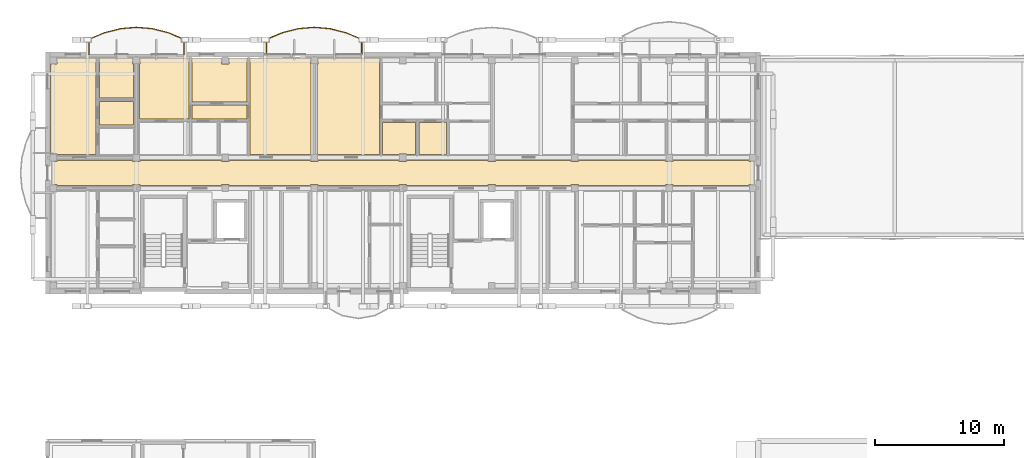
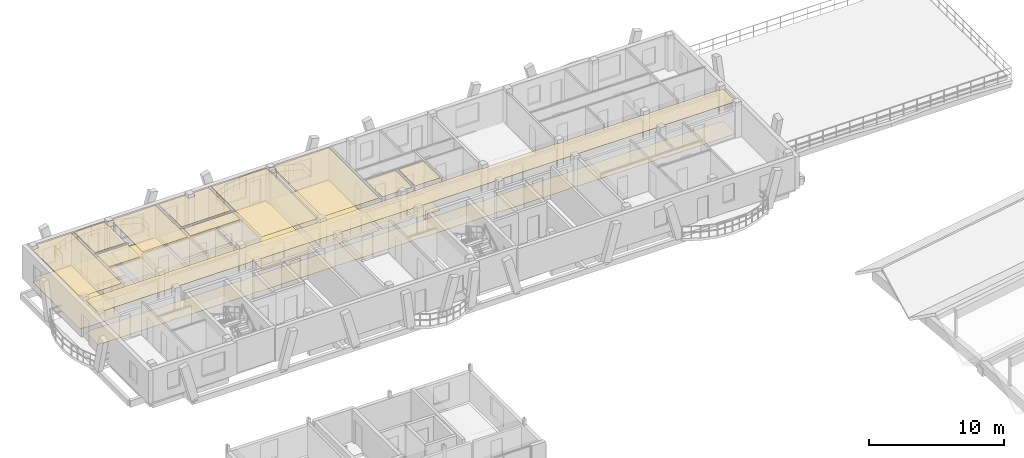
# One storey, part 96 of 109: 22 coverings, 2 railings.
"""IFC4 building model written with IfcOpenShell, lengths in metres."""

from ifc_helpers import new_model, si_unit, direction, frame, origin, origin_2d, place, context, subcontext, project, spatial, polyline, rectangle, outline, extrude, material, layer, layer_set, type_object, element, save


model = new_model("IFC4")

# Units and contexts
model_context = context("Model", 3, precision=1e-05, world=origin(), true_north=direction((0.0, 1.0)))
body_context = subcontext(model_context, "Body", "Model", "MODEL_VIEW")
ifc_project = project(units=[si_unit("LENGTHUNIT", "METRE"), si_unit("AREAUNIT", "SQUARE_METRE"), si_unit("VOLUMEUNIT", "CUBIC_METRE"), si_unit("PLANEANGLEUNIT", "RADIAN"), si_unit("MASSUNIT", "GRAM", prefix="KILO")], contexts=[model_context])

# Site, building, storey
site_placement = place(None, origin())
site = spatial("IfcSite", under=ifc_project, at=site_placement, CompositionType="ELEMENT")
building_placement = place(site_placement, origin())
building = spatial("IfcBuilding", under=site, at=building_placement, Name="Zavelmont Quarter", CompositionType="ELEMENT")
storey_placement = place(building_placement, frame((0.0, 0.0, 8.0)))
storey = spatial("IfcBuildingStorey", under=building, at=storey_placement, Name="L02", CompositionType="ELEMENT", Elevation=8.0)

# Coverings
ifc_material_1 = material(Name="Perforated acoustic gypsum board")
ifc_layer_1 = layer(ifc_material_1, 0.02490234375)
ifc_layer_set_1 = layer_set([ifc_layer_1], Name="Perforated acoustic gypsum board")
covering_type_1 = type_object("IfcCoveringType", Name="CV-CL01", PredefinedType="CEILING", material=ifc_layer_set_1)
covering_1_placement = place(storey_placement, frame((0.0, 0.0, 2.9150390625)))
element("IfcCovering", 1, at=covering_1_placement, inside=storey, type_object=covering_type_1, Name="L02 Residential Corridor acoustic ceiling", PredefinedType="CEILING", context=body_context, shape_type="SweptSolid", body=[
    extrude(outline(polyline([(0.3798828125, 107.7099609375), (0.72998046875, 107.7099609375), (0.72998046875, 107.77001953125), (6.610107421875, 107.77001953125), (6.610107421875, 107.7099609375), (7.18994140625, 107.7099609375), (7.18994140625, 107.77001953125), (13.510009765625, 107.77001953125), (13.510009765625, 107.7099609375), (14.090087890625, 107.7099609375), (14.090087890625, 107.77001953125), (20.409912109375, 107.77001953125), (20.409912109375, 107.7099609375), (20.989990234375, 107.7099609375), (20.989990234375, 107.77001953125), (27.31005859375, 107.77001953125), (27.31005859375, 107.7099609375), (27.889892578125, 107.7099609375), (27.889892578125, 107.77001953125), (34.2099609375, 107.77001953125), (34.2099609375, 107.7099609375), (34.7900390625, 107.7099609375), (34.7900390625, 107.77001953125), (40.669921875, 107.77001953125), (40.669921875, 107.7099609375), (41.25, 107.7099609375), (41.25, 107.77001953125), (48.010009765625, 107.77001953125), (48.010009765625, 107.7099609375), (48.590087890625, 107.7099609375), (48.590087890625, 107.77001953125), (54.469970703125, 107.77001953125), (54.469970703125, 107.7099609375), (54.820068359375, 107.7099609375), (54.820068359375, 105.889892578125), (54.469970703125, 105.889892578125), (54.469970703125, 105.830078125), (48.590087890625, 105.830078125), (48.590087890625, 105.889892578125), (48.010009765625, 105.889892578125), (48.010009765625, 105.830078125), (41.25, 105.830078125), (41.25, 105.889892578125), (40.669921875, 105.889892578125), (40.669921875, 105.830078125), (34.7900390625, 105.830078125), (34.7900390625, 105.889892578125), (34.2099609375, 105.889892578125), (34.2099609375, 105.830078125), (27.889892578125, 105.830078125), (27.889892578125, 105.889892578125), (27.31005859375, 105.889892578125), (27.31005859375, 105.830078125), (20.989990234375, 105.830078125), (20.989990234375, 105.889892578125), (20.409912109375, 105.889892578125), (20.409912109375, 105.830078125), (14.090087890625, 105.830078125), (14.090087890625, 105.889892578125), (13.510009765625, 105.889892578125), (13.510009765625, 105.830078125), (7.18994140625, 105.830078125), (7.18994140625, 105.889892578125), (6.610107421875, 105.889892578125), (6.610107421875, 105.830078125), (0.72998046875, 105.830078125), (0.72998046875, 105.889892578125), (0.3798828125, 105.889892578125), (0.3798828125, 107.7099609375)])), origin(), (0.0, 0.0, 1.0), 0.02490234375),
])
covering_2_placement = place(storey_placement, frame((0.0, 0.0, 2.9150390625)))
element("IfcCovering", 2, at=covering_2_placement, inside=storey, type_object=covering_type_1, Name="L02 Living Dining acoustic ceiling", PredefinedType="CEILING", context=body_context, shape_type="SweptSolid", body=[
    extrude(outline(polyline([(0.22998046875, 115.27001953125), (0.72998046875, 115.27001953125), (0.72998046875, 115.719970703125), (3.77001953125, 115.719970703125), (3.77001953125, 108.22998046875), (0.72998046875, 108.22998046875), (0.72998046875, 108.2900390625), (0.22998046875, 108.2900390625), (0.22998046875, 115.27001953125)])), origin(), (0.0, 0.0, 1.0), 0.02490234375),
])
covering_3_placement = place(storey_placement, frame((0.0, 0.0, 2.9150390625)))
element("IfcCovering", 3, at=covering_3_placement, inside=storey, type_object=covering_type_1, Name="L02 Single Bedroom acoustic ceiling", PredefinedType="CEILING", context=body_context, shape_type="SweptSolid", body=[
    extrude(outline(polyline([(4.030029296875, 115.719970703125), (6.610107421875, 115.719970703125), (6.610107421875, 115.27001953125), (6.669921875, 115.27001953125), (6.669921875, 112.6298828125), (4.030029296875, 112.6298828125), (4.030029296875, 115.719970703125)])), origin(), (0.0, 0.0, 1.0), 0.02490234375),
])
covering_4_placement = place(storey_placement, frame((0.0, 0.0, 2.9150390625)))
element("IfcCovering", 4, at=covering_4_placement, inside=storey, type_object=covering_type_1, Name="L02 Double Bedroom acoustic ceiling", PredefinedType="CEILING", context=body_context, shape_type="SweptSolid", body=[
    extrude(outline(polyline([(7.1298828125, 115.27001953125), (7.18994140625, 115.27001953125), (7.18994140625, 115.719970703125), (10.969970703125, 115.719970703125), (10.969970703125, 110.97998046875), (7.1298828125, 110.97998046875), (7.1298828125, 115.27001953125)])), origin(), (0.0, 0.0, 1.0), 0.02490234375),
])
covering_5_placement = place(storey_placement, frame((0.0, 0.0, 2.9150390625)))
element("IfcCovering", 5, at=covering_5_placement, inside=storey, type_object=covering_type_1, Name="L02 Master Bedroom acoustic ceiling", PredefinedType="CEILING", context=body_context, shape_type="SweptSolid", body=[
    extrude(outline(polyline([(11.22998046875, 115.719970703125), (13.510009765625, 115.719970703125), (13.510009765625, 115.27001953125), (14.090087890625, 115.27001953125), (14.090087890625, 115.719970703125), (15.469970703125, 115.719970703125), (15.469970703125, 112.330078125), (11.22998046875, 112.330078125), (11.22998046875, 115.719970703125)])), origin(), (0.0, 0.0, 1.0), 0.02490234375),
])
covering_6_placement = place(storey_placement, frame((0.0, 0.0, 2.9150390625)))
element("IfcCovering", 6, at=covering_6_placement, inside=storey, type_object=covering_type_1, Name="L02 Living Dining acoustic ceiling", PredefinedType="CEILING", context=body_context, shape_type="SweptSolid", body=[
    extrude(outline(polyline([(15.72998046875, 115.719970703125), (20.409912109375, 115.719970703125), (20.409912109375, 115.27001953125), (20.469970703125, 115.27001953125), (20.469970703125, 108.2900390625), (20.409912109375, 108.2900390625), (20.409912109375, 108.22998046875), (15.72998046875, 108.22998046875), (15.72998046875, 115.719970703125)])), origin(), (0.0, 0.0, 1.0), 0.02490234375),
])
covering_7_placement = place(storey_placement, frame((0.0, 0.0, 2.9150390625)))
element("IfcCovering", 7, at=covering_7_placement, inside=storey, type_object=covering_type_1, Name="L02 Living Dining acoustic ceiling", PredefinedType="CEILING", context=body_context, shape_type="SweptSolid", body=[
    extrude(outline(polyline([(20.929931640625, 115.27001953125), (20.989990234375, 115.27001953125), (20.989990234375, 115.719970703125), (25.77001953125, 115.719970703125), (25.77001953125, 108.22998046875), (20.989990234375, 108.22998046875), (20.989990234375, 108.2900390625), (20.929931640625, 108.2900390625), (20.929931640625, 115.27001953125)])), origin(), (0.0, 0.0, 1.0), 0.02490234375),
])
covering_8_placement = place(storey_placement, frame((0.0, 0.0, 2.9150390625)))
element("IfcCovering", 8, at=covering_8_placement, inside=storey, type_object=covering_type_1, Name="L02 Kitchen acoustic ceiling", PredefinedType="CEILING", context=body_context, shape_type="SweptSolid", body=[
    extrude(outline(polyline([(26.030029296875, 110.719970703125), (28.570068359375, 110.719970703125), (28.570068359375, 108.22998046875), (27.889892578125, 108.22998046875), (27.889892578125, 108.2900390625), (27.31005859375, 108.2900390625), (27.31005859375, 108.22998046875), (26.030029296875, 108.22998046875), (26.030029296875, 110.719970703125)])), origin(), (0.0, 0.0, 1.0), 0.02490234375),
])
ifc_material_2 = material(Name="Slatted European ash acoustic baffle ceiling")
ifc_layer_2 = layer(ifc_material_2, 0.0400390625)
ifc_layer_set_2 = layer_set([ifc_layer_2], Name="Slatted European ash acoustic baffle ceiling")
covering_type_2 = type_object("IfcCoveringType", Name="CV-CL02", PredefinedType="CEILING", material=ifc_layer_set_2)
covering_9_placement = place(storey_placement, frame((0.0, 0.0, 2.89990234375)))
element("IfcCovering", 9, at=covering_9_placement, inside=storey, type_object=covering_type_2, Name="L02 Apartment Hall acoustic ceiling", PredefinedType="CEILING", context=body_context, shape_type="SweptSolid", body=[
    extrude(outline(polyline([(11.22998046875, 112.070068359375), (15.469970703125, 112.070068359375), (15.469970703125, 110.97998046875), (11.22998046875, 110.97998046875), (11.22998046875, 112.070068359375)])), origin(), (0.0, 0.0, 1.0), 0.0400390625),
])
ifc_material_3 = material(Name="Moisture-resistant painted gypsum ceiling")
ifc_layer_3 = layer(ifc_material_3, 0.02001953125)
ifc_layer_set_3 = layer_set([ifc_layer_3], Name="Moisture-resistant painted gypsum ceiling")
covering_type_3 = type_object("IfcCoveringType", Name="CV-CL04", PredefinedType="CEILING", material=ifc_layer_set_3)
covering_10_placement = place(storey_placement, frame((0.0, 0.0, 2.919921875)))
element("IfcCovering", 10, at=covering_10_placement, inside=storey, type_object=covering_type_3, Name="L02 Bathroom acoustic ceiling", PredefinedType="CEILING", context=body_context, shape_type="SweptSolid", body=[
    extrude(outline(polyline([(4.030029296875, 112.3701171875), (6.669921875, 112.3701171875), (6.669921875, 110.530029296875), (4.030029296875, 110.530029296875), (4.030029296875, 112.3701171875)])), origin(), (0.0, 0.0, 1.0), 0.02001953125),
])
covering_11_placement = place(storey_placement, frame((0.0, 0.0, 2.919921875)))
element("IfcCovering", 11, at=covering_11_placement, inside=storey, type_object=covering_type_3, Name="L02 Bathroom acoustic ceiling", PredefinedType="CEILING", context=body_context, shape_type="SweptSolid", body=[
    extrude(outline(polyline([(28.830078125, 110.719970703125), (30.969970703125, 110.719970703125), (30.969970703125, 108.22998046875), (28.830078125, 108.22998046875), (28.830078125, 110.719970703125)])), origin(), (0.0, 0.0, 1.0), 0.02001953125),
])
ifc_material_4 = material(Name="Engineered European oak parquet")
ifc_layer_4 = layer(ifc_material_4, 0.02197265625)
ifc_layer_set_4 = layer_set([ifc_layer_4], Name="Engineered European oak parquet")
covering_type_4 = type_object("IfcCoveringType", Name="CV-FL01", PredefinedType="FLOORING", material=ifc_layer_set_4)
covering_12_placement = place(storey_placement, origin())
element("IfcCovering", 12, at=covering_12_placement, inside=storey, type_object=covering_type_4, Name="L02 Residential Corridor floor finish", PredefinedType="FLOORING", context=body_context, shape_type="SweptSolid", body=[
    extrude(outline(polyline([(0.3798828125, 107.7099609375), (0.72998046875, 107.7099609375), (0.72998046875, 107.77001953125), (6.610107421875, 107.77001953125), (6.610107421875, 107.7099609375), (7.18994140625, 107.7099609375), (7.18994140625, 107.77001953125), (13.510009765625, 107.77001953125), (13.510009765625, 107.7099609375), (14.090087890625, 107.7099609375), (14.090087890625, 107.77001953125), (20.409912109375, 107.77001953125), (20.409912109375, 107.7099609375), (20.989990234375, 107.7099609375), (20.989990234375, 107.77001953125), (27.31005859375, 107.77001953125), (27.31005859375, 107.7099609375), (27.889892578125, 107.7099609375), (27.889892578125, 107.77001953125), (34.2099609375, 107.77001953125), (34.2099609375, 107.7099609375), (34.7900390625, 107.7099609375), (34.7900390625, 107.77001953125), (40.669921875, 107.77001953125), (40.669921875, 107.7099609375), (41.25, 107.7099609375), (41.25, 107.77001953125), (48.010009765625, 107.77001953125), (48.010009765625, 107.7099609375), (48.590087890625, 107.7099609375), (48.590087890625, 107.77001953125), (54.469970703125, 107.77001953125), (54.469970703125, 107.7099609375), (54.820068359375, 107.7099609375), (54.820068359375, 105.889892578125), (54.469970703125, 105.889892578125), (54.469970703125, 105.830078125), (48.590087890625, 105.830078125), (48.590087890625, 105.889892578125), (48.010009765625, 105.889892578125), (48.010009765625, 105.830078125), (41.25, 105.830078125), (41.25, 105.889892578125), (40.669921875, 105.889892578125), (40.669921875, 105.830078125), (34.7900390625, 105.830078125), (34.7900390625, 105.889892578125), (34.2099609375, 105.889892578125), (34.2099609375, 105.830078125), (27.889892578125, 105.830078125), (27.889892578125, 105.889892578125), (27.31005859375, 105.889892578125), (27.31005859375, 105.830078125), (20.989990234375, 105.830078125), (20.989990234375, 105.889892578125), (20.409912109375, 105.889892578125), (20.409912109375, 105.830078125), (14.090087890625, 105.830078125), (14.090087890625, 105.889892578125), (13.510009765625, 105.889892578125), (13.510009765625, 105.830078125), (7.18994140625, 105.830078125), (7.18994140625, 105.889892578125), (6.610107421875, 105.889892578125), (6.610107421875, 105.830078125), (0.72998046875, 105.830078125), (0.72998046875, 105.889892578125), (0.3798828125, 105.889892578125), (0.3798828125, 107.7099609375)])), origin(), (0.0, 0.0, 1.0), 0.02197265625),
])
covering_13_placement = place(storey_placement, origin())
element("IfcCovering", 13, at=covering_13_placement, inside=storey, type_object=covering_type_4, Name="L02 Living Dining floor finish", PredefinedType="FLOORING", context=body_context, shape_type="SweptSolid", body=[
    extrude(outline(polyline([(0.22998046875, 115.27001953125), (0.72998046875, 115.27001953125), (0.72998046875, 115.719970703125), (3.77001953125, 115.719970703125), (3.77001953125, 108.22998046875), (0.72998046875, 108.22998046875), (0.72998046875, 108.2900390625), (0.22998046875, 108.2900390625), (0.22998046875, 115.27001953125)])), origin(), (0.0, 0.0, 1.0), 0.02197265625),
])
covering_14_placement = place(storey_placement, origin())
element("IfcCovering", 14, at=covering_14_placement, inside=storey, type_object=covering_type_4, Name="L02 Single Bedroom floor finish", PredefinedType="FLOORING", context=body_context, shape_type="SweptSolid", body=[
    extrude(outline(polyline([(4.030029296875, 115.719970703125), (6.610107421875, 115.719970703125), (6.610107421875, 115.27001953125), (6.669921875, 115.27001953125), (6.669921875, 112.6298828125), (4.030029296875, 112.6298828125), (4.030029296875, 115.719970703125)])), origin(), (0.0, 0.0, 1.0), 0.02197265625),
])
covering_15_placement = place(storey_placement, origin())
element("IfcCovering", 15, at=covering_15_placement, inside=storey, type_object=covering_type_4, Name="L02 Double Bedroom floor finish", PredefinedType="FLOORING", context=body_context, shape_type="SweptSolid", body=[
    extrude(outline(polyline([(7.1298828125, 115.27001953125), (7.18994140625, 115.27001953125), (7.18994140625, 115.719970703125), (10.969970703125, 115.719970703125), (10.969970703125, 110.97998046875), (7.1298828125, 110.97998046875), (7.1298828125, 115.27001953125)])), origin(), (0.0, 0.0, 1.0), 0.02197265625),
])
covering_16_placement = place(storey_placement, origin())
element("IfcCovering", 16, at=covering_16_placement, inside=storey, type_object=covering_type_4, Name="L02 Master Bedroom floor finish", PredefinedType="FLOORING", context=body_context, shape_type="SweptSolid", body=[
    extrude(outline(polyline([(11.22998046875, 115.719970703125), (13.510009765625, 115.719970703125), (13.510009765625, 115.27001953125), (14.090087890625, 115.27001953125), (14.090087890625, 115.719970703125), (15.469970703125, 115.719970703125), (15.469970703125, 112.330078125), (11.22998046875, 112.330078125), (11.22998046875, 115.719970703125)])), origin(), (0.0, 0.0, 1.0), 0.02197265625),
])
covering_17_placement = place(storey_placement, origin())
element("IfcCovering", 17, at=covering_17_placement, inside=storey, type_object=covering_type_4, Name="L02 Living Dining floor finish", PredefinedType="FLOORING", context=body_context, shape_type="SweptSolid", body=[
    extrude(outline(polyline([(15.72998046875, 115.719970703125), (20.409912109375, 115.719970703125), (20.409912109375, 115.27001953125), (20.469970703125, 115.27001953125), (20.469970703125, 108.2900390625), (20.409912109375, 108.2900390625), (20.409912109375, 108.22998046875), (15.72998046875, 108.22998046875), (15.72998046875, 115.719970703125)])), origin(), (0.0, 0.0, 1.0), 0.02197265625),
])
covering_18_placement = place(storey_placement, origin())
element("IfcCovering", 18, at=covering_18_placement, inside=storey, type_object=covering_type_4, Name="L02 Living Dining floor finish", PredefinedType="FLOORING", context=body_context, shape_type="SweptSolid", body=[
    extrude(outline(polyline([(20.929931640625, 115.27001953125), (20.989990234375, 115.27001953125), (20.989990234375, 115.719970703125), (25.77001953125, 115.719970703125), (25.77001953125, 108.22998046875), (20.989990234375, 108.22998046875), (20.989990234375, 108.2900390625), (20.929931640625, 108.2900390625), (20.929931640625, 115.27001953125)])), origin(), (0.0, 0.0, 1.0), 0.02197265625),
])
covering_19_placement = place(storey_placement, origin())
element("IfcCovering", 19, at=covering_19_placement, inside=storey, type_object=covering_type_4, Name="L02 Kitchen floor finish", PredefinedType="FLOORING", context=body_context, shape_type="SweptSolid", body=[
    extrude(outline(polyline([(26.030029296875, 110.719970703125), (28.570068359375, 110.719970703125), (28.570068359375, 108.22998046875), (27.889892578125, 108.22998046875), (27.889892578125, 108.2900390625), (27.31005859375, 108.2900390625), (27.31005859375, 108.22998046875), (26.030029296875, 108.22998046875), (26.030029296875, 110.719970703125)])), origin(), (0.0, 0.0, 1.0), 0.02197265625),
])
ifc_material_5 = material(Name="Honed Belgian bluestone tile", Category="masonry")
ifc_layer_5 = layer(ifc_material_5, 0.030029296875)
ifc_layer_set_5 = layer_set([ifc_layer_5], Name="Honed Belgian bluestone tile")
covering_type_5 = type_object("IfcCoveringType", Name="CV-FL02", PredefinedType="FLOORING", material=ifc_layer_set_5)
covering_20_placement = place(storey_placement, origin())
element("IfcCovering", 20, at=covering_20_placement, inside=storey, type_object=covering_type_5, Name="L02 Apartment Hall floor finish", PredefinedType="FLOORING", context=body_context, shape_type="SweptSolid", body=[
    extrude(outline(polyline([(11.22998046875, 112.070068359375), (15.469970703125, 112.070068359375), (15.469970703125, 110.97998046875), (11.22998046875, 110.97998046875), (11.22998046875, 112.070068359375)])), origin(), (0.0, 0.0, 1.0), 0.030029296875),
])
ifc_material_6 = material(Name="Slip-resistant porcelain tile")
ifc_layer_6 = layer(ifc_material_6, 0.02587890625)
ifc_layer_set_6 = layer_set([ifc_layer_6], Name="Slip-resistant porcelain tile")
covering_type_6 = type_object("IfcCoveringType", Name="CV-FL04", PredefinedType="FLOORING", material=ifc_layer_set_6)
covering_21_placement = place(storey_placement, origin())
element("IfcCovering", 21, at=covering_21_placement, inside=storey, type_object=covering_type_6, Name="L02 Bathroom floor finish", PredefinedType="FLOORING", context=body_context, shape_type="SweptSolid", body=[
    extrude(outline(polyline([(4.030029296875, 112.3701171875), (6.669921875, 112.3701171875), (6.669921875, 110.530029296875), (4.030029296875, 110.530029296875), (4.030029296875, 112.3701171875)])), origin(), (0.0, 0.0, 1.0), 0.02587890625),
])
covering_22_placement = place(storey_placement, origin())
element("IfcCovering", 22, at=covering_22_placement, inside=storey, type_object=covering_type_6, Name="L02 Bathroom floor finish", PredefinedType="FLOORING", context=body_context, shape_type="SweptSolid", body=[
    extrude(outline(polyline([(28.830078125, 110.719970703125), (30.969970703125, 110.719970703125), (30.969970703125, 108.22998046875), (28.830078125, 108.22998046875), (28.830078125, 110.719970703125)])), origin(), (0.0, 0.0, 1.0), 0.02587890625),
])

# Railings
ifc_material_7 = material(Name="Powder-coated steel and tempered double safety glass", Category="steel")
railing_type = type_object("IfcRailingType", Name="RL-BAL1", PredefinedType="BALUSTRADE", material=ifc_material_7)
railing_1_placement = place(storey_placement, frame((10.59619140625, 116.02001953125, 0.0)))
element("IfcRailing", 23, at=railing_1_placement, inside=storey, type_object=railing_type, Name="L02 Block B curved balcony guard RL-BAL1", PredefinedType="BALUSTRADE", context=body_context, shape_type="SweptSolid", body=[
    extrude(rectangle(XDim=0.048095703125, YDim=0.048095703125, at=origin_2d()), frame((0.0, 0.0, 1.076171875), z_axis=(0.0, 1.0, 0.0), x_axis=(-1.0, 0.0, 0.0)), (0.0, 0.0, 1.0), 1.16650390625),
    extrude(rectangle(XDim=0.048095703125, YDim=0.048095703125, at=origin_2d()), frame((0.0, 0.0, 0.550048828125), z_axis=(0.0, 1.0, 0.0), x_axis=(-1.0, 0.0, 0.0)), (0.0, 0.0, 1.0), 1.16650390625),
    extrude(rectangle(XDim=0.048095703125, YDim=0.048095703125, at=origin_2d()), frame((0.0, 1.16650390625, 1.076171875), z_axis=(-0.921834664302, 0.387583348058, 0.0), x_axis=(-0.387583348058, -0.921834664302, 0.0)), (0.0, 0.0, 1.0), 1.336669921875),
    extrude(rectangle(XDim=0.048095703125, YDim=0.048095703125, at=origin_2d()), frame((0.0, 1.16650390625, 0.550048828125), z_axis=(-0.921834664302, 0.387583348058, 0.0), x_axis=(-0.387583348058, -0.921834664302, 0.0)), (0.0, 0.0, 1.0), 1.336669921875),
    extrude(rectangle(XDim=0.048095703125, YDim=0.048095703125, at=origin_2d()), frame((-1.232177734375, 1.6845703125, 1.076171875), z_axis=(-0.969620318636, 0.244614876263, 0.0), x_axis=(-0.244614876263, -0.969620318636, 0.0)), (0.0, 0.0, 1.0), 1.2705078125),
    extrude(rectangle(XDim=0.048095703125, YDim=0.048095703125, at=origin_2d()), frame((-1.232177734375, 1.6845703125, 0.550048828125), z_axis=(-0.969620318636, 0.244614876263, 0.0), x_axis=(-0.244614876263, -0.969620318636, 0.0)), (0.0, 0.0, 1.0), 1.2705078125),
    extrude(rectangle(XDim=0.048095703125, YDim=0.048095703125, at=origin_2d()), frame((-2.464111328125, 1.995361328125, 1.076171875), z_axis=(-0.996489704633, 0.083715402172, 0.0), x_axis=(-0.083715402172, -0.996489704633, 0.0)), (0.0, 0.0, 1.0), 1.236572265625),
    extrude(rectangle(XDim=0.048095703125, YDim=0.048095703125, at=origin_2d()), frame((-2.464111328125, 1.995361328125, 0.550048828125), z_axis=(-0.996489704633, 0.083715402172, 0.0), x_axis=(-0.083715402172, -0.996489704633, 0.0)), (0.0, 0.0, 1.0), 1.236572265625),
    extrude(rectangle(XDim=0.048095703125, YDim=0.048095703125, at=origin_2d()), frame((-3.6962890625, 2.098876953125, 1.076171875), z_axis=(-0.996488320498, -0.083731876316, 0.0), x_axis=(0.083731876316, -0.996488320498, 0.0)), (0.0, 0.0, 1.0), 1.236328125),
    extrude(rectangle(XDim=0.048095703125, YDim=0.048095703125, at=origin_2d()), frame((-3.6962890625, 2.098876953125, 0.550048828125), z_axis=(-0.996488320498, -0.083731876316, 0.0), x_axis=(0.083731876316, -0.996488320498, 0.0)), (0.0, 0.0, 1.0), 1.236328125),
    extrude(rectangle(XDim=0.048095703125, YDim=0.048095703125, at=origin_2d()), frame((-4.92822265625, 1.995361328125, 1.076171875), z_axis=(-0.969631813367, -0.244569308186, 0.0), x_axis=(0.244569308186, -0.969631813367, 0.0)), (0.0, 0.0, 1.0), 1.270751953125),
    extrude(rectangle(XDim=0.048095703125, YDim=0.048095703125, at=origin_2d()), frame((-4.92822265625, 1.995361328125, 0.550048828125), z_axis=(-0.969631813367, -0.244569308186, 0.0), x_axis=(0.244569308186, -0.969631813367, 0.0)), (0.0, 0.0, 1.0), 1.270751953125),
    extrude(rectangle(XDim=0.048095703125, YDim=0.048095703125, at=origin_2d()), frame((-6.160400390625, 1.6845703125, 1.076171875), z_axis=(-0.921807219529, -0.387648616694, 0.0), x_axis=(0.387648616694, -0.921807219529, 0.0)), (0.0, 0.0, 1.0), 1.33642578125),
    extrude(rectangle(XDim=0.048095703125, YDim=0.048095703125, at=origin_2d()), frame((-6.160400390625, 1.6845703125, 0.550048828125), z_axis=(-0.921807219529, -0.387648616694, 0.0), x_axis=(0.387648616694, -0.921807219529, 0.0)), (0.0, 0.0, 1.0), 1.33642578125),
    extrude(rectangle(XDim=0.048095703125, YDim=0.048095703125, at=origin_2d()), frame((-7.392333984375, 1.16650390625, 1.076171875), z_axis=(0.0, -1.0, 0.0), x_axis=(1.0, 0.0, 0.0)), (0.0, 0.0, 1.0), 1.16650390625),
    extrude(rectangle(XDim=0.048095703125, YDim=0.048095703125, at=origin_2d()), frame((-7.392333984375, 1.16650390625, 0.550048828125), z_axis=(0.0, -1.0, 0.0), x_axis=(1.0, 0.0, 0.0)), (0.0, 0.0, 1.0), 1.16650390625),
    extrude(rectangle(XDim=0.0419921875, YDim=0.0419921875, at=origin_2d()), origin(), (0.0, 0.0, 1.0), 1.052001953125),
    extrude(rectangle(XDim=0.0419921875, YDim=0.0419921875, at=origin_2d()), frame((0.0, 1.16650390625, 0.0)), (0.0, 0.0, 1.0), 1.052001953125),
    extrude(rectangle(XDim=0.0419921875, YDim=0.0419921875, at=origin_2d()), frame((-0.6162109375, 1.425537109375, 0.0)), (0.0, 0.0, 1.0), 1.052001953125),
    extrude(rectangle(XDim=0.0419921875, YDim=0.0419921875, at=origin_2d()), frame((-1.232177734375, 1.6845703125, 0.0)), (0.0, 0.0, 1.0), 1.052001953125),
    extrude(rectangle(XDim=0.0419921875, YDim=0.0419921875, at=origin_2d()), frame((-1.84814453125, 1.83984375, 0.0)), (0.0, 0.0, 1.0), 1.052001953125),
    extrude(rectangle(XDim=0.0419921875, YDim=0.0419921875, at=origin_2d()), frame((-2.464111328125, 1.995361328125, 0.0)), (0.0, 0.0, 1.0), 1.052001953125),
    extrude(rectangle(XDim=0.0419921875, YDim=0.0419921875, at=origin_2d()), frame((-3.080078125, 2.047119140625, 0.0)), (0.0, 0.0, 1.0), 1.052001953125),
    extrude(rectangle(XDim=0.0419921875, YDim=0.0419921875, at=origin_2d()), frame((-3.6962890625, 2.098876953125, 0.0)), (0.0, 0.0, 1.0), 1.052001953125),
    extrude(rectangle(XDim=0.0419921875, YDim=0.0419921875, at=origin_2d()), frame((-4.312255859375, 2.047119140625, 0.0)), (0.0, 0.0, 1.0), 1.052001953125),
    extrude(rectangle(XDim=0.0419921875, YDim=0.0419921875, at=origin_2d()), frame((-4.92822265625, 1.995361328125, 0.0)), (0.0, 0.0, 1.0), 1.052001953125),
    extrude(rectangle(XDim=0.0419921875, YDim=0.0419921875, at=origin_2d()), frame((-5.54443359375, 1.83984375, 0.0)), (0.0, 0.0, 1.0), 1.052001953125),
    extrude(rectangle(XDim=0.0419921875, YDim=0.0419921875, at=origin_2d()), frame((-6.160400390625, 1.6845703125, 0.0)), (0.0, 0.0, 1.0), 1.052001953125),
    extrude(rectangle(XDim=0.0419921875, YDim=0.0419921875, at=origin_2d()), frame((-6.7763671875, 1.425537109375, 0.0)), (0.0, 0.0, 1.0), 1.052001953125),
    extrude(rectangle(XDim=0.0419921875, YDim=0.0419921875, at=origin_2d()), frame((-7.392333984375, 1.16650390625, 0.0)), (0.0, 0.0, 1.0), 1.052001953125),
    extrude(rectangle(XDim=0.0419921875, YDim=0.0419921875, at=origin_2d()), frame((-7.392333984375, 0.0, 0.0)), (0.0, 0.0, 1.0), 1.052001953125),
])
railing_2_placement = place(storey_placement, frame((24.396240234375, 116.02001953125, 0.0)))
element("IfcRailing", 24, at=railing_2_placement, inside=storey, type_object=railing_type, Name="L02 Block B curved balcony guard RL-BAL1", PredefinedType="BALUSTRADE", context=body_context, shape_type="SweptSolid", body=[
    extrude(rectangle(XDim=0.048095703125, YDim=0.048095703125, at=origin_2d()), frame((0.0, 0.0, 1.076171875), z_axis=(0.0, 1.0, 0.0), x_axis=(-1.0, 0.0, 0.0)), (0.0, 0.0, 1.0), 1.16650390625),
    extrude(rectangle(XDim=0.048095703125, YDim=0.048095703125, at=origin_2d()), frame((0.0, 0.0, 0.550048828125), z_axis=(0.0, 1.0, 0.0), x_axis=(-1.0, 0.0, 0.0)), (0.0, 0.0, 1.0), 1.16650390625),
    extrude(rectangle(XDim=0.048095703125, YDim=0.048095703125, at=origin_2d()), frame((0.0, 1.16650390625, 1.076171875), z_axis=(-0.921834664302, 0.387583348058, 0.0), x_axis=(-0.387583348058, -0.921834664302, 0.0)), (0.0, 0.0, 1.0), 1.336669921875),
    extrude(rectangle(XDim=0.048095703125, YDim=0.048095703125, at=origin_2d()), frame((0.0, 1.16650390625, 0.550048828125), z_axis=(-0.921834664302, 0.387583348058, 0.0), x_axis=(-0.387583348058, -0.921834664302, 0.0)), (0.0, 0.0, 1.0), 1.336669921875),
    extrude(rectangle(XDim=0.048095703125, YDim=0.048095703125, at=origin_2d()), frame((-1.232177734375, 1.6845703125, 1.076171875), z_axis=(-0.969620318636, 0.244614876263, 0.0), x_axis=(-0.244614876263, -0.969620318636, 0.0)), (0.0, 0.0, 1.0), 1.2705078125),
    extrude(rectangle(XDim=0.048095703125, YDim=0.048095703125, at=origin_2d()), frame((-1.232177734375, 1.6845703125, 0.550048828125), z_axis=(-0.969620318636, 0.244614876263, 0.0), x_axis=(-0.244614876263, -0.969620318636, 0.0)), (0.0, 0.0, 1.0), 1.2705078125),
    extrude(rectangle(XDim=0.048095703125, YDim=0.048095703125, at=origin_2d()), frame((-2.464111328125, 1.995361328125, 1.076171875), z_axis=(-0.996489704633, 0.083715402172, 0.0), x_axis=(-0.083715402172, -0.996489704633, 0.0)), (0.0, 0.0, 1.0), 1.236572265625),
    extrude(rectangle(XDim=0.048095703125, YDim=0.048095703125, at=origin_2d()), frame((-2.464111328125, 1.995361328125, 0.550048828125), z_axis=(-0.996489704633, 0.083715402172, 0.0), x_axis=(-0.083715402172, -0.996489704633, 0.0)), (0.0, 0.0, 1.0), 1.236572265625),
    extrude(rectangle(XDim=0.048095703125, YDim=0.048095703125, at=origin_2d()), frame((-3.6962890625, 2.098876953125, 1.076171875), z_axis=(-0.996488320498, -0.083731876316, 0.0), x_axis=(0.083731876316, -0.996488320498, 0.0)), (0.0, 0.0, 1.0), 1.236328125),
    extrude(rectangle(XDim=0.048095703125, YDim=0.048095703125, at=origin_2d()), frame((-3.6962890625, 2.098876953125, 0.550048828125), z_axis=(-0.996488320498, -0.083731876316, 0.0), x_axis=(0.083731876316, -0.996488320498, 0.0)), (0.0, 0.0, 1.0), 1.236328125),
    extrude(rectangle(XDim=0.048095703125, YDim=0.048095703125, at=origin_2d()), frame((-4.92822265625, 1.995361328125, 1.076171875), z_axis=(-0.969631813367, -0.244569308186, 0.0), x_axis=(0.244569308186, -0.969631813367, 0.0)), (0.0, 0.0, 1.0), 1.270751953125),
    extrude(rectangle(XDim=0.048095703125, YDim=0.048095703125, at=origin_2d()), frame((-4.92822265625, 1.995361328125, 0.550048828125), z_axis=(-0.969631813367, -0.244569308186, 0.0), x_axis=(0.244569308186, -0.969631813367, 0.0)), (0.0, 0.0, 1.0), 1.270751953125),
    extrude(rectangle(XDim=0.048095703125, YDim=0.048095703125, at=origin_2d()), frame((-6.160400390625, 1.6845703125, 1.076171875), z_axis=(-0.921807219529, -0.387648616694, 0.0), x_axis=(0.387648616694, -0.921807219529, 0.0)), (0.0, 0.0, 1.0), 1.33642578125),
    extrude(rectangle(XDim=0.048095703125, YDim=0.048095703125, at=origin_2d()), frame((-6.160400390625, 1.6845703125, 0.550048828125), z_axis=(-0.921807219529, -0.387648616694, 0.0), x_axis=(0.387648616694, -0.921807219529, 0.0)), (0.0, 0.0, 1.0), 1.33642578125),
    extrude(rectangle(XDim=0.048095703125, YDim=0.048095703125, at=origin_2d()), frame((-7.392333984375, 1.16650390625, 1.076171875), z_axis=(0.0, -1.0, 0.0), x_axis=(1.0, 0.0, 0.0)), (0.0, 0.0, 1.0), 1.16650390625),
    extrude(rectangle(XDim=0.048095703125, YDim=0.048095703125, at=origin_2d()), frame((-7.392333984375, 1.16650390625, 0.550048828125), z_axis=(0.0, -1.0, 0.0), x_axis=(1.0, 0.0, 0.0)), (0.0, 0.0, 1.0), 1.16650390625),
    extrude(rectangle(XDim=0.0419921875, YDim=0.0419921875, at=origin_2d()), origin(), (0.0, 0.0, 1.0), 1.052001953125),
    extrude(rectangle(XDim=0.0419921875, YDim=0.0419921875, at=origin_2d()), frame((0.0, 1.16650390625, 0.0)), (0.0, 0.0, 1.0), 1.052001953125),
    extrude(rectangle(XDim=0.0419921875, YDim=0.0419921875, at=origin_2d()), frame((-0.6162109375, 1.425537109375, 0.0)), (0.0, 0.0, 1.0), 1.052001953125),
    extrude(rectangle(XDim=0.0419921875, YDim=0.0419921875, at=origin_2d()), frame((-1.232177734375, 1.6845703125, 0.0)), (0.0, 0.0, 1.0), 1.052001953125),
    extrude(rectangle(XDim=0.0419921875, YDim=0.0419921875, at=origin_2d()), frame((-1.84814453125, 1.83984375, 0.0)), (0.0, 0.0, 1.0), 1.052001953125),
    extrude(rectangle(XDim=0.0419921875, YDim=0.0419921875, at=origin_2d()), frame((-2.464111328125, 1.995361328125, 0.0)), (0.0, 0.0, 1.0), 1.052001953125),
    extrude(rectangle(XDim=0.0419921875, YDim=0.0419921875, at=origin_2d()), frame((-3.080078125, 2.047119140625, 0.0)), (0.0, 0.0, 1.0), 1.052001953125),
    extrude(rectangle(XDim=0.0419921875, YDim=0.0419921875, at=origin_2d()), frame((-3.6962890625, 2.098876953125, 0.0)), (0.0, 0.0, 1.0), 1.052001953125),
    extrude(rectangle(XDim=0.0419921875, YDim=0.0419921875, at=origin_2d()), frame((-4.312255859375, 2.047119140625, 0.0)), (0.0, 0.0, 1.0), 1.052001953125),
    extrude(rectangle(XDim=0.0419921875, YDim=0.0419921875, at=origin_2d()), frame((-4.92822265625, 1.995361328125, 0.0)), (0.0, 0.0, 1.0), 1.052001953125),
    extrude(rectangle(XDim=0.0419921875, YDim=0.0419921875, at=origin_2d()), frame((-5.54443359375, 1.83984375, 0.0)), (0.0, 0.0, 1.0), 1.052001953125),
    extrude(rectangle(XDim=0.0419921875, YDim=0.0419921875, at=origin_2d()), frame((-6.160400390625, 1.6845703125, 0.0)), (0.0, 0.0, 1.0), 1.052001953125),
    extrude(rectangle(XDim=0.0419921875, YDim=0.0419921875, at=origin_2d()), frame((-6.7763671875, 1.425537109375, 0.0)), (0.0, 0.0, 1.0), 1.052001953125),
    extrude(rectangle(XDim=0.0419921875, YDim=0.0419921875, at=origin_2d()), frame((-7.392333984375, 1.16650390625, 0.0)), (0.0, 0.0, 1.0), 1.052001953125),
    extrude(rectangle(XDim=0.0419921875, YDim=0.0419921875, at=origin_2d()), frame((-7.392333984375, 0.0, 0.0)), (0.0, 0.0, 1.0), 1.052001953125),
])

save(model, "model.ifc")
